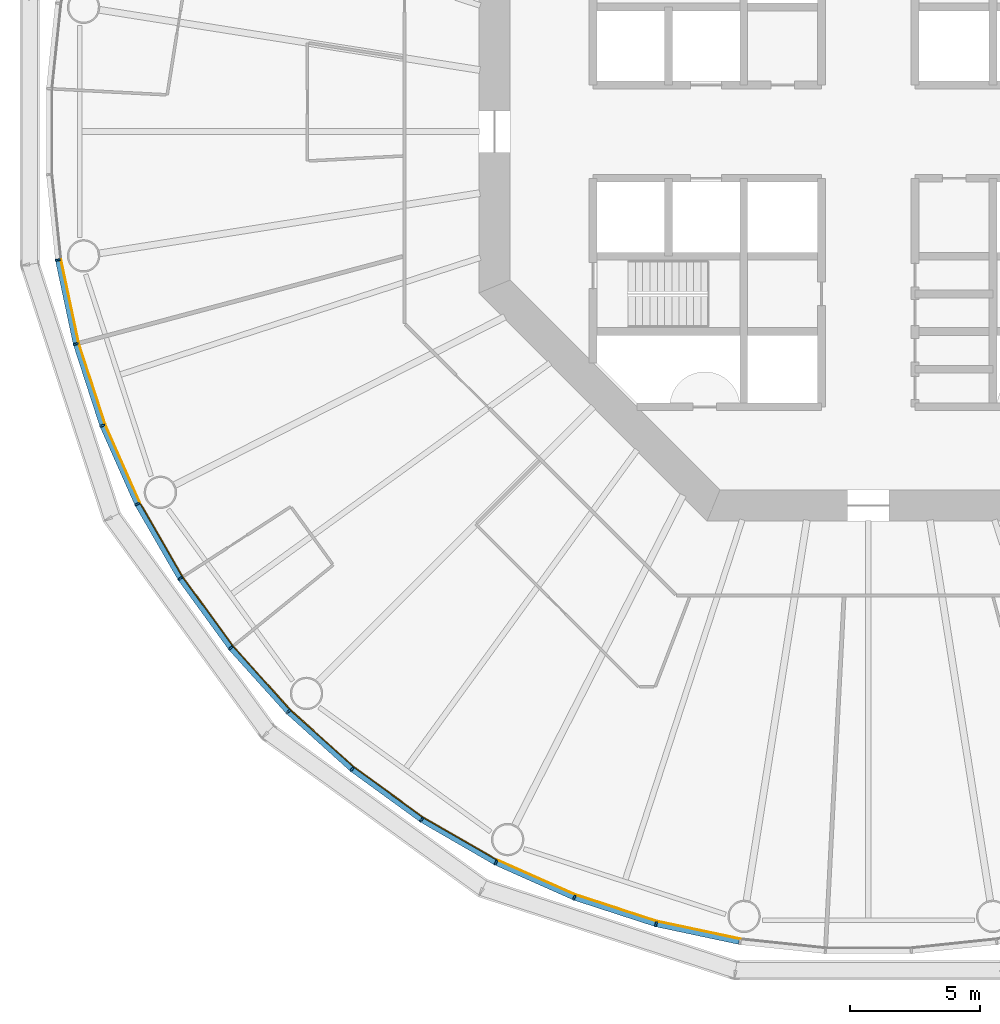
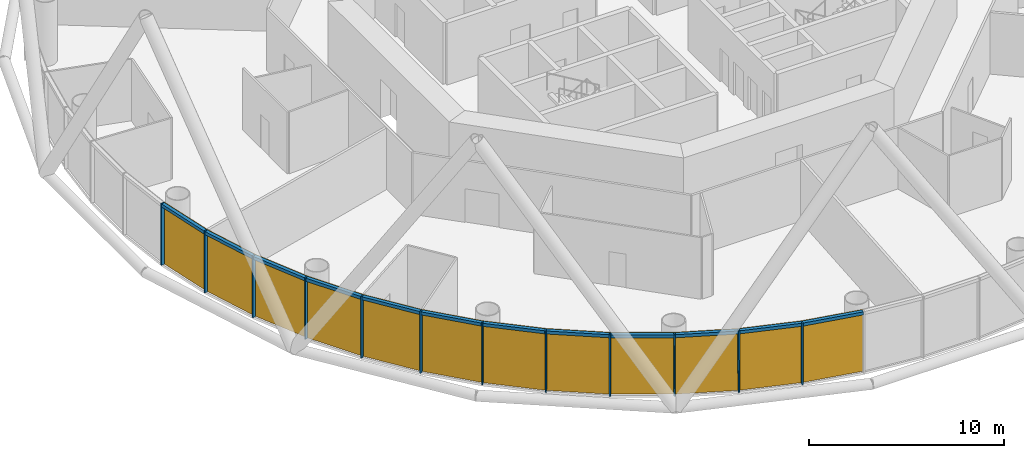
# One storey, part 8 of 14: 24 members, 4 curtain walls.
"""IFC4 building model written with IfcOpenShell, lengths in metres."""

from ifc_helpers import new_model, si_unit, direction, frame, origin, origin_2d, place, context, subcontext, project, spatial, polyline, rectangle, outline, extrude, material, layer, layer_set, material_profile, profile_set, type_object, element, aggregate, save


model = new_model("IFC4")

# Units and contexts
model_context = context("Model", 3, precision=1e-05, world=origin(), true_north=direction((0.0, 1.0)))
body_context = subcontext(model_context, "Body", "Model", "MODEL_VIEW")
ifc_project = project(units=[si_unit("LENGTHUNIT", "METRE"), si_unit("AREAUNIT", "SQUARE_METRE"), si_unit("VOLUMEUNIT", "CUBIC_METRE"), si_unit("PLANEANGLEUNIT", "RADIAN"), si_unit("MASSUNIT", "GRAM", prefix="KILO")], contexts=[model_context])

# Member
ifc_material_1 = material(Name="Anodised aluminium", Category="aluminium")
ifc_material_profile_1 = material_profile(ifc_material_1, rectangle(XDim=0.070068359375, YDim=0.199951171875, at=origin_2d()), Name="Mullion 70 x 200 mm anodised aluminium")
ifc_profile_set_1 = profile_set([ifc_material_profile_1], Name="Anodised aluminium")
member_type_1 = type_object("IfcMemberType", Name="Mullion 70 x 200 mm anodised aluminium", PredefinedType="MULLION", material=ifc_profile_set_1)
site_placement = place(None, origin())
building_placement = place(site_placement, origin())
storey_placement = place(building_placement, frame((0.0, 0.0, 80.0)))
member_1_placement = place(storey_placement, frame((58.7890625, 75.056640625, 0.0), z_axis=(0.0, 0.0, 1.0), x_axis=(0.15643446504, -0.987688340595, 0.0)))
member_1 = element("IfcMember", 1, at=member_1_placement, type_object=member_type_1, Name="MULLION L17-30", PredefinedType="MULLION", context=body_context, shape_type="SweptSolid", body=[
    extrude(rectangle(XDim=0.070068359375, YDim=0.199951171875, at=origin_2d()), origin(), (0.0, 0.0, 1.0), 3.85009765625),
])

member_2_placement = place(storey_placement, frame((59.476806640625, 71.8212890625, 0.0), z_axis=(0.0, 0.0, 1.0), x_axis=(0.258819045103, -0.965925826289, 0.0)))
member_2 = element("IfcMember", 2, at=member_2_placement, type_object=member_type_1, Name="MULLION L17-31", PredefinedType="MULLION", context=body_context, shape_type="SweptSolid", body=[
    extrude(rectangle(XDim=0.070068359375, YDim=0.199951171875, at=origin_2d()), origin(), (0.0, 0.0, 1.0), 3.85009765625),
])

member_3_placement = place(storey_placement, frame((60.498779296875, 68.675537109375, 0.0), z_axis=(0.0, 0.0, 1.0), x_axis=(0.358367949545, -0.933580426497, 0.0)))
member_3 = element("IfcMember", 3, at=member_3_placement, type_object=member_type_1, Name="MULLION L17-32", PredefinedType="MULLION", context=body_context, shape_type="SweptSolid", body=[
    extrude(rectangle(XDim=0.070068359375, YDim=0.199951171875, at=origin_2d()), origin(), (0.0, 0.0, 1.0), 3.85009765625),
])

member_4_placement = place(storey_placement, frame((61.84423828125, 65.65380859375, 0.0), z_axis=(0.0, 0.0, 1.0), x_axis=(0.45399049974, -0.891006524188, 0.0)))
member_4 = element("IfcMember", 4, at=member_4_placement, type_object=member_type_1, Name="MULLION L17-33", PredefinedType="MULLION", context=body_context, shape_type="SweptSolid", body=[
    extrude(rectangle(XDim=0.070068359375, YDim=0.199951171875, at=origin_2d()), origin(), (0.0, 0.0, 1.0), 3.85009765625),
])

member_5_placement = place(storey_placement, frame((63.498046875, 62.789306640625, 0.0), z_axis=(0.0, 0.0, 1.0), x_axis=(0.544639035015, -0.838670567945, 0.0)))
member_5 = element("IfcMember", 5, at=member_5_placement, type_object=member_type_1, Name="MULLION L17-34", PredefinedType="MULLION", context=body_context, shape_type="SweptSolid", body=[
    extrude(rectangle(XDim=0.070068359375, YDim=0.199951171875, at=origin_2d()), origin(), (0.0, 0.0, 1.0), 3.85009765625),
])

member_6_placement = place(storey_placement, frame((65.442138671875, 60.113525390625, 0.0), z_axis=(0.0, 0.0, 1.0), x_axis=(0.62932039105, -0.777145961457, 0.0)))
member_6 = element("IfcMember", 6, at=member_6_placement, type_object=member_type_1, Name="MULLION L17-35", PredefinedType="MULLION", context=body_context, shape_type="SweptSolid", body=[
    extrude(rectangle(XDim=0.070068359375, YDim=0.199951171875, at=origin_2d()), origin(), (0.0, 0.0, 1.0), 3.85009765625),
])

member_7_placement = place(storey_placement, frame((67.655517578125, 57.655517578125, 0.0), z_axis=(0.0, 0.0, 1.0), x_axis=(0.707106781187, -0.707106781187, 0.0)))
member_7 = element("IfcMember", 7, at=member_7_placement, type_object=member_type_1, Name="MULLION L17-36", PredefinedType="MULLION", context=body_context, shape_type="SweptSolid", body=[
    extrude(rectangle(XDim=0.070068359375, YDim=0.199951171875, at=origin_2d()), origin(), (0.0, 0.0, 1.0), 3.85009765625),
])

member_8_placement = place(storey_placement, frame((70.113525390625, 55.442138671875, 0.0), z_axis=(0.0, 0.0, 1.0), x_axis=(0.777145961457, -0.62932039105, 0.0)))
member_8 = element("IfcMember", 8, at=member_8_placement, type_object=member_type_1, Name="MULLION L17-37", PredefinedType="MULLION", context=body_context, shape_type="SweptSolid", body=[
    extrude(rectangle(XDim=0.070068359375, YDim=0.199951171875, at=origin_2d()), origin(), (0.0, 0.0, 1.0), 3.85009765625),
])

member_9_placement = place(storey_placement, frame((72.789306640625, 53.498046875, 0.0), z_axis=(0.0, 0.0, 1.0), x_axis=(0.838670567945, -0.544639035015, 0.0)))
member_9 = element("IfcMember", 9, at=member_9_placement, type_object=member_type_1, Name="MULLION L17-38", PredefinedType="MULLION", context=body_context, shape_type="SweptSolid", body=[
    extrude(rectangle(XDim=0.070068359375, YDim=0.199951171875, at=origin_2d()), origin(), (0.0, 0.0, 1.0), 3.85009765625),
])

member_10_placement = place(storey_placement, frame((75.65380859375, 51.84423828125, 0.0), z_axis=(0.0, 0.0, 1.0), x_axis=(0.891006524188, -0.45399049974, 0.0)))
member_10 = element("IfcMember", 10, at=member_10_placement, type_object=member_type_1, Name="MULLION L17-39", PredefinedType="MULLION", context=body_context, shape_type="SweptSolid", body=[
    extrude(rectangle(XDim=0.070068359375, YDim=0.199951171875, at=origin_2d()), origin(), (0.0, 0.0, 1.0), 3.85009765625),
])

member_11_placement = place(storey_placement, frame((78.675537109375, 50.498779296875, 0.0), z_axis=(0.0, 0.0, 1.0), x_axis=(0.933580426497, -0.358367949545, 0.0)))
member_11 = element("IfcMember", 11, at=member_11_placement, type_object=member_type_1, Name="MULLION L17-40", PredefinedType="MULLION", context=body_context, shape_type="SweptSolid", body=[
    extrude(rectangle(XDim=0.070068359375, YDim=0.199951171875, at=origin_2d()), origin(), (0.0, 0.0, 1.0), 3.85009765625),
])

member_12_placement = place(storey_placement, frame((81.8212890625, 49.476806640625, 0.0), z_axis=(0.0, 0.0, 1.0), x_axis=(0.965925826289, -0.258819045103, 0.0)))
member_12 = element("IfcMember", 12, at=member_12_placement, type_object=member_type_1, Name="MULLION L17-41", PredefinedType="MULLION", context=body_context, shape_type="SweptSolid", body=[
    extrude(rectangle(XDim=0.070068359375, YDim=0.199951171875, at=origin_2d()), origin(), (0.0, 0.0, 1.0), 3.85009765625),
])

ifc_material_2 = material(Name="Anodised aluminium", Category="aluminium")
ifc_material_profile_2 = material_profile(ifc_material_2, rectangle(XDim=0.199951171875, YDim=0.18994140625, at=origin_2d()), Name="Transom 190 x 200 mm anodised aluminium")
ifc_profile_set_2 = profile_set([ifc_material_profile_2], Name="Anodised aluminium")
member_type_2 = type_object("IfcMemberType", Name="Transom 190 x 200 mm anodised aluminium", PredefinedType="USERDEFINED", material=ifc_profile_set_2)
member_13_placement = place(storey_placement, frame((58.79736328125, 75.017333984375, 3.7548828125), z_axis=(0.207885898771, -0.978153082647, 0.0), x_axis=(0.978153082647, 0.207885898771, 0.0)))
member_13 = element("IfcMember", 13, at=member_13_placement, type_object=member_type_2, Name="TRANSOM L17-30", ObjectType="TRANSOM", PredefinedType="USERDEFINED", context=body_context, shape_type="SweptSolid", body=[
    extrude(rectangle(XDim=0.199951171875, YDim=0.18994140625, at=origin_2d()), origin(), (0.0, 0.0, 1.0), 3.227294921875),
])

member_14_placement = place(storey_placement, frame((59.489013671875, 71.782958984375, 3.7548828125), z_axis=(0.309046726844, -0.951046855117, 0.0), x_axis=(0.951046855117, 0.309046726844, 0.0)))
member_14 = element("IfcMember", 14, at=member_14_placement, type_object=member_type_2, Name="TRANSOM L17-31", ObjectType="TRANSOM", PredefinedType="USERDEFINED", context=body_context, shape_type="SweptSolid", body=[
    extrude(rectangle(XDim=0.199951171875, YDim=0.18994140625, at=origin_2d()), origin(), (0.0, 0.0, 1.0), 3.22705078125),
])

member_15_placement = place(storey_placement, frame((60.51513671875, 68.638671875, 3.7548828125), z_axis=(0.406728032322, -0.913549291349, 0.0), x_axis=(0.913549291349, 0.406728032322, 0.0)))
member_15 = element("IfcMember", 15, at=member_15_placement, type_object=member_type_2, Name="TRANSOM L17-32", ObjectType="TRANSOM", PredefinedType="USERDEFINED", context=body_context, shape_type="SweptSolid", body=[
    extrude(rectangle(XDim=0.199951171875, YDim=0.18994140625, at=origin_2d()), origin(), (0.0, 0.0, 1.0), 3.22705078125),
])

member_16_placement = place(storey_placement, frame((61.8642578125, 65.618896484375, 3.7548828125), z_axis=(0.500004055213, -0.866023062494, 0.0), x_axis=(0.866023062494, 0.500004055213, 0.0)))
member_16 = element("IfcMember", 16, at=member_16_placement, type_object=member_type_2, Name="TRANSOM L17-33", ObjectType="TRANSOM", PredefinedType="USERDEFINED", context=body_context, shape_type="SweptSolid", body=[
    extrude(rectangle(XDim=0.199951171875, YDim=0.18994140625, at=origin_2d()), origin(), (0.0, 0.0, 1.0), 3.22705078125),
])

member_17_placement = place(storey_placement, frame((63.521484375, 62.7568359375, 3.7548828125), z_axis=(0.587802790201, -0.809004252048, 0.0), x_axis=(0.809004252048, 0.587802790201, 0.0)))
member_17 = element("IfcMember", 17, at=member_17_placement, type_object=member_type_2, Name="TRANSOM L17-34", ObjectType="TRANSOM", PredefinedType="USERDEFINED", context=body_context, shape_type="SweptSolid", body=[
    extrude(rectangle(XDim=0.199951171875, YDim=0.18994140625, at=origin_2d()), origin(), (0.0, 0.0, 1.0), 3.227294921875),
])

member_18_placement = place(storey_placement, frame((65.468994140625, 60.08349609375, 3.7548828125), z_axis=(0.669144438484, -0.743132370743, 0.0), x_axis=(0.743132370743, 0.669144438484, 0.0)))
member_18 = element("IfcMember", 18, at=member_18_placement, type_object=member_type_2, Name="TRANSOM L17-35", ObjectType="TRANSOM", PredefinedType="USERDEFINED", context=body_context, shape_type="SweptSolid", body=[
    extrude(rectangle(XDim=0.199951171875, YDim=0.18994140625, at=origin_2d()), origin(), (0.0, 0.0, 1.0), 3.22705078125),
])

member_19_placement = place(storey_placement, frame((67.685302734375, 57.62841796875, 3.7548828125), z_axis=(0.743132370743, -0.669144438484, 0.0), x_axis=(0.669144438484, 0.743132370743, 0.0)))
member_19 = element("IfcMember", 19, at=member_19_placement, type_object=member_type_2, Name="TRANSOM L17-36", ObjectType="TRANSOM", PredefinedType="USERDEFINED", context=body_context, shape_type="SweptSolid", body=[
    extrude(rectangle(XDim=0.199951171875, YDim=0.18994140625, at=origin_2d()), origin(), (0.0, 0.0, 1.0), 3.22705078125),
])

member_20_placement = place(storey_placement, frame((70.14599609375, 55.41845703125, 3.7548828125), z_axis=(0.809004252048, -0.587802790201, 0.0), x_axis=(0.587802790201, 0.809004252048, 0.0)))
member_20 = element("IfcMember", 20, at=member_20_placement, type_object=member_type_2, Name="TRANSOM L17-37", ObjectType="TRANSOM", PredefinedType="USERDEFINED", context=body_context, shape_type="SweptSolid", body=[
    extrude(rectangle(XDim=0.199951171875, YDim=0.18994140625, at=origin_2d()), origin(), (0.0, 0.0, 1.0), 3.227294921875),
])

member_21_placement = place(storey_placement, frame((72.82421875, 53.477783203125, 3.7548828125), z_axis=(0.866023062494, -0.500004055213, 0.0), x_axis=(0.500004055213, 0.866023062494, 0.0)))
member_21 = element("IfcMember", 21, at=member_21_placement, type_object=member_type_2, Name="TRANSOM L17-38", ObjectType="TRANSOM", PredefinedType="USERDEFINED", context=body_context, shape_type="SweptSolid", body=[
    extrude(rectangle(XDim=0.199951171875, YDim=0.18994140625, at=origin_2d()), origin(), (0.0, 0.0, 1.0), 3.22705078125),
])

member_22_placement = place(storey_placement, frame((75.690673828125, 51.82763671875, 3.7548828125), z_axis=(0.913549291349, -0.406728032322, 0.0), x_axis=(0.406728032322, 0.913549291349, 0.0)))
member_22 = element("IfcMember", 22, at=member_22_placement, type_object=member_type_2, Name="TRANSOM L17-39", ObjectType="TRANSOM", PredefinedType="USERDEFINED", context=body_context, shape_type="SweptSolid", body=[
    extrude(rectangle(XDim=0.199951171875, YDim=0.18994140625, at=origin_2d()), origin(), (0.0, 0.0, 1.0), 3.22705078125),
])

member_23_placement = place(storey_placement, frame((78.7138671875, 50.486328125, 3.7548828125), z_axis=(0.951046855117, -0.309046726844, 0.0), x_axis=(0.309046726844, 0.951046855117, 0.0)))
member_23 = element("IfcMember", 23, at=member_23_placement, type_object=member_type_2, Name="TRANSOM L17-40", ObjectType="TRANSOM", PredefinedType="USERDEFINED", context=body_context, shape_type="SweptSolid", body=[
    extrude(rectangle(XDim=0.199951171875, YDim=0.18994140625, at=origin_2d()), origin(), (0.0, 0.0, 1.0), 3.22705078125),
])

member_24_placement = place(storey_placement, frame((81.860595703125, 49.46826171875, 3.7548828125), z_axis=(0.978153082647, -0.207885898771, 0.0), x_axis=(0.207885898771, 0.978153082647, 0.0)))
member_24 = element("IfcMember", 24, at=member_24_placement, type_object=member_type_2, Name="TRANSOM L17-41", ObjectType="TRANSOM", PredefinedType="USERDEFINED", context=body_context, shape_type="SweptSolid", body=[
    extrude(rectangle(XDim=0.199951171875, YDim=0.18994140625, at=origin_2d()), origin(), (0.0, 0.0, 1.0), 3.227294921875),
])

# Site, building, storey
site = spatial("IfcSite", under=ifc_project, at=site_placement, CompositionType="ELEMENT")
building = spatial("IfcBuilding", under=site, at=building_placement, Name="Entoto Ring Tower", CompositionType="ELEMENT")
storey = spatial("IfcBuildingStorey", under=building, at=storey_placement, Name="L17", CompositionType="ELEMENT", Elevation=80.0)

# Curtain wall
ifc_material_3 = material(Name="Clear low-iron glass", Category="glass")
ifc_layer = layer(ifc_material_3, 0.035888671875)
ifc_layer_set = layer_set([ifc_layer], Name="Clear low-iron glass")
curtain_wall_type = type_object("IfcCurtainWallType", Name="Curtain wall system CW2 glazing 36 mm", PredefinedType="NOTDEFINED", material=ifc_layer_set)
curtain_wall_1_placement = place(storey_placement, origin())
curtain_wall_1 = element("IfcCurtainWall", 25, at=curtain_wall_1_placement, inside=storey, type_object=curtain_wall_type, Name="CW2 L17-11", PredefinedType="NOTDEFINED", context=body_context, shape_type="SweptSolid", body=[
    extrude(outline(polyline([(58.8876953125, 75.072265625), (59.5732421875, 71.84716796875), (60.59228515625, 68.71142578125), (61.933349609375, 65.69921875), (61.96533203125, 65.715576171875), (60.6259765625, 68.724365234375), (59.608154296875, 71.8564453125), (58.92333984375, 75.077880859375), (58.8876953125, 75.072265625)])), origin(), (0.0, 0.0, 1.0), 3.85009765625),
])

aggregate(curtain_wall_1, [member_1, member_2, member_3, member_13, member_14, member_15])

curtain_wall_2_placement = place(storey_placement, origin())
curtain_wall_2 = element("IfcCurtainWall", 26, at=curtain_wall_2_placement, inside=storey, type_object=curtain_wall_type, Name="CW2 L17-12", PredefinedType="NOTDEFINED", context=body_context, shape_type="SweptSolid", body=[
    extrude(outline(polyline([(61.933349609375, 65.69921875), (63.581787109375, 62.84375), (65.52001953125, 60.176513671875), (67.72607421875, 57.72607421875), (67.751708984375, 57.751708984375), (65.5478515625, 60.198974609375), (63.612060546875, 62.863525390625), (61.96533203125, 65.715576171875), (61.933349609375, 65.69921875)])), origin(), (0.0, 0.0, 1.0), 3.85009765625),
])

aggregate(curtain_wall_2, [member_4, member_5, member_6, member_16, member_17, member_18])

curtain_wall_3_placement = place(storey_placement, origin())
curtain_wall_3 = element("IfcCurtainWall", 27, at=curtain_wall_3_placement, inside=storey, type_object=curtain_wall_type, Name="CW2 L17-13", PredefinedType="NOTDEFINED", context=body_context, shape_type="SweptSolid", body=[
    extrude(outline(polyline([(67.72607421875, 57.72607421875), (70.176513671875, 55.52001953125), (72.84375, 53.581787109375), (75.69921875, 51.933349609375), (75.715576171875, 51.96533203125), (72.863525390625, 53.612060546875), (70.198974609375, 55.5478515625), (67.751708984375, 57.751708984375), (67.72607421875, 57.72607421875)])), origin(), (0.0, 0.0, 1.0), 3.85009765625),
])

aggregate(curtain_wall_3, [member_7, member_8, member_9, member_19, member_20, member_21])

curtain_wall_4_placement = place(storey_placement, origin())
curtain_wall_4 = element("IfcCurtainWall", 28, at=curtain_wall_4_placement, inside=storey, type_object=curtain_wall_type, Name="CW2 L17-14", PredefinedType="NOTDEFINED", context=body_context, shape_type="SweptSolid", body=[
    extrude(outline(polyline([(75.69921875, 51.933349609375), (78.71142578125, 50.59228515625), (81.84716796875, 49.5732421875), (85.072265625, 48.8876953125), (85.077880859375, 48.92333984375), (81.8564453125, 49.608154296875), (78.724365234375, 50.6259765625), (75.715576171875, 51.96533203125), (75.69921875, 51.933349609375)])), origin(), (0.0, 0.0, 1.0), 3.85009765625),
])

aggregate(curtain_wall_4, [member_10, member_11, member_12, member_22, member_23, member_24])

save(model, "model.ifc")
